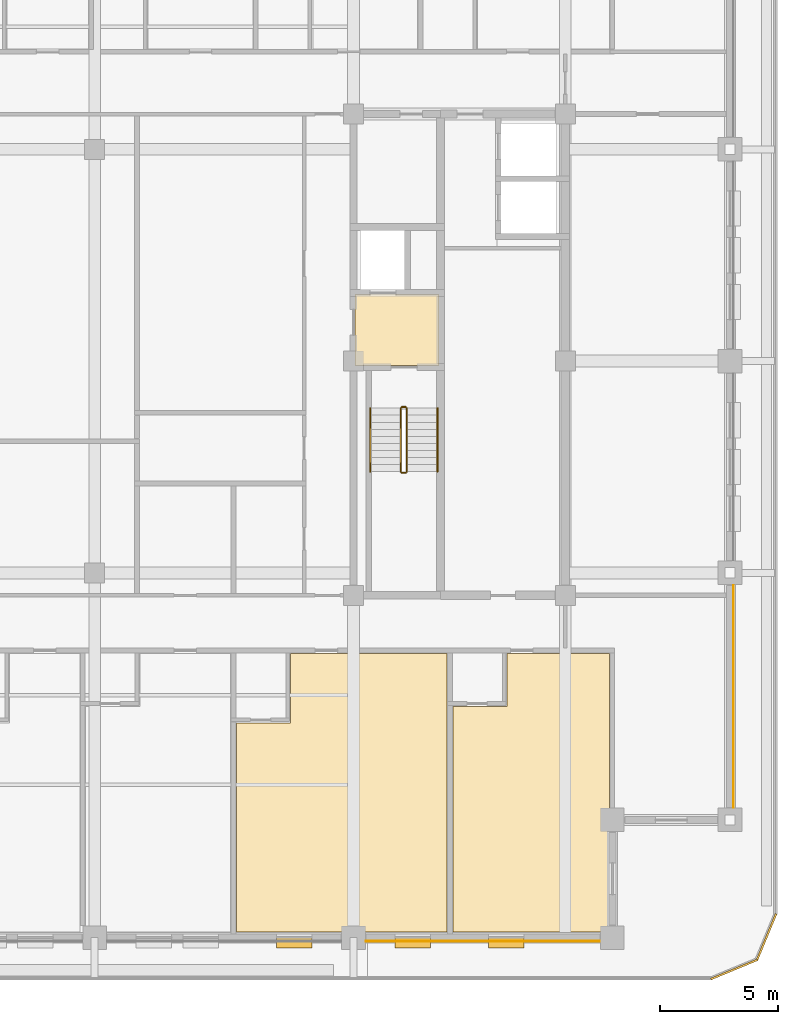
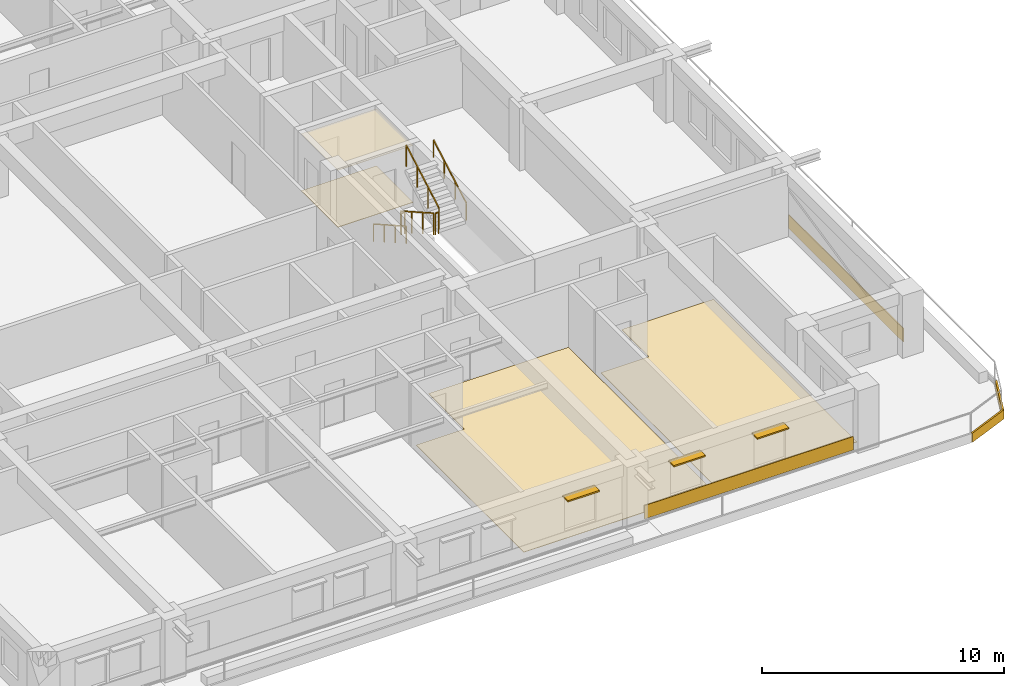
# One storey, part 12 of 13: 8 coverings, 6 railings, 3 shading devices.
"""IFC4 building model written with IfcOpenShell, lengths in metres."""

from ifc_helpers import new_model, si_unit, direction, frame, frame_2d, origin, origin_2d, place, context, subcontext, project, spatial, polyline, rectangle, outline, extrude, material, layer, layer_set, type_object, element, save


model = new_model("IFC4")

# Units and contexts
model_context = context("Model", 3, precision=1e-05, world=origin(), true_north=direction((0.0, 1.0)))
body_context = subcontext(model_context, "Body", "Model", "MODEL_VIEW")
ifc_project = project(units=[si_unit("LENGTHUNIT", "METRE"), si_unit("AREAUNIT", "SQUARE_METRE"), si_unit("VOLUMEUNIT", "CUBIC_METRE"), si_unit("PLANEANGLEUNIT", "RADIAN"), si_unit("MASSUNIT", "GRAM", prefix="KILO")], contexts=[model_context])

# Site, building, storey
site_placement = place(None, origin())
site = spatial("IfcSite", under=ifc_project, at=site_placement, CompositionType="ELEMENT")
building_placement = place(site_placement, origin())
building = spatial("IfcBuilding", under=site, at=building_placement, Name="Zulmaris Gate Convention Tower", CompositionType="ELEMENT")
storey_placement = place(building_placement, frame((0.0, 0.0, 166.059814453125)))
storey = spatial("IfcBuildingStorey", under=building, at=storey_placement, Name="L42", CompositionType="ELEMENT", Elevation=166.059814453125)

# Coverings
ifc_material_1 = material(Name="Precast concrete C40/50", Category="concrete")
ifc_layer_1 = layer(ifc_material_1, 0.0400390625, Name="Precast concrete C40/50")
ifc_layer_set_1 = layer_set([ifc_layer_1], Name="Precast concrete C40/50")
covering_type_1 = type_object("IfcCoveringType", Name="CLAD-SPANDREL-PRECAST", PredefinedType="CLADDING", material=ifc_layer_set_1)
covering_1_placement = place(storey_placement, frame((11.530029296875, -24.64990234375, 0.0), z_axis=(0.0, 0.0, 1.0), x_axis=(1.0, 0.0, 0.0)))
element("IfcCovering", 1, at=covering_1_placement, inside=storey, type_object=covering_type_1, Name="CLD-L42-S-3_0", PredefinedType="CLADDING", context=body_context, shape_type="SweptSolid", body=[
    extrude(rectangle(XDim=9.93994140625, YDim=0.0400390625, at=frame_2d((4.969970703125, 0.0))), origin(), (0.0, 0.0, 1.0), 0.679931640625),
])
covering_2_placement = place(storey_placement, frame((27.14990234375, -18.969970703125, 0.0), z_axis=(0.0, 0.0, 1.0), x_axis=(0.0, 1.0, 0.0)))
element("IfcCovering", 2, at=covering_2_placement, inside=storey, type_object=covering_type_1, Name="CLD-L42-E-0_0", PredefinedType="CLADDING", context=body_context, shape_type="SweptSolid", body=[
    extrude(rectangle(XDim=9.43994140625, YDim=0.0400390625, at=frame_2d((4.719970703125, 0.0))), origin(), (0.0, 0.0, 1.0), 0.679931640625),
])
ifc_material_2 = material(Name="White Glazed Architectural Precast Concrete C40/50", Category="concrete")
ifc_layer_2 = layer(ifc_material_2, 0.080078125, Name="White Glazed Architectural Precast Concrete C40/50")
ifc_layer_set_2 = layer_set([ifc_layer_2], Name="White Glazed Architectural Precast Concrete C40/50")
covering_type_2 = type_object("IfcCoveringType", Name="CLAD-TRAY-FASCIA", PredefinedType="CLADDING", material=ifc_layer_set_2)
covering_3_placement = place(storey_placement, frame((26.184814453125, -26.262939453125, -0.2900390625), z_axis=(0.0, 0.0, 1.0), x_axis=(0.923873803533, 0.382697263049, 0.0)))
element("IfcCovering", 3, at=covering_3_placement, inside=storey, type_object=covering_type_2, Name="FSC-L42-TR-03", PredefinedType="CLADDING", context=body_context, shape_type="SweptSolid", body=[
    extrude(rectangle(XDim=2.142822265625, YDim=0.080078125, at=frame_2d((1.0712890625, 0.0))), origin(), (0.0, 0.0, 1.0), 0.4599609375),
])
covering_4_placement = place(storey_placement, frame((28.142822265625, -25.464599609375, -0.2900390625), z_axis=(0.0, 0.0, 1.0), x_axis=(0.382656984709, 0.923890487046, 0.0)))
element("IfcCovering", 4, at=covering_4_placement, inside=storey, type_object=covering_type_2, Name="FSC-L42-TR-04", PredefinedType="CLADDING", context=body_context, shape_type="SweptSolid", body=[
    extrude(rectangle(XDim=2.14306640625, YDim=0.080078125, at=frame_2d((1.071533203125, 0.0))), origin(), (0.0, 0.0, 1.0), 0.4599609375),
])
ifc_material_3 = material(Name="Mineral Fibre Acoustic Ceiling Tile")
ifc_layer_3 = layer(ifc_material_3, 0.02001953125, Name="Mineral Fibre Acoustic Ceiling Tile")
ifc_layer_set_3 = layer_set([ifc_layer_3], Name="Mineral Fibre Acoustic Ceiling Tile")
covering_type_3 = type_object("IfcCoveringType", Name="CLG-ACOUSTIC-600", PredefinedType="CEILING", material=ifc_layer_set_3)
covering_5_placement = place(storey_placement, frame((0.0, 0.0, 2.8701171875)))
element("IfcCovering", 5, at=covering_5_placement, inside=storey, type_object=covering_type_3, Name="CLG-L42-R08", PredefinedType="CEILING", context=body_context, shape_type="SweptSolid", body=[
    extrude(outline(polyline([(11.06005859375, -0.18994140625), (14.639892578125, -0.18994140625), (14.639892578125, 2.840087890625), (11.06005859375, 2.840087890625), (11.06005859375, -0.18994140625)])), origin(), (0.0, 0.0, 1.0), 0.02001953125),
])
ifc_material_4 = material(Name="Woven Acoustic Wool Carpet Tile")
ifc_layer_4 = layer(ifc_material_4, 0.02001953125, Name="Woven Acoustic Wool Carpet Tile")
ifc_layer_set_4 = layer_set([ifc_layer_4], Name="Woven Acoustic Wool Carpet Tile")
covering_type_4 = type_object("IfcCoveringType", Name="FLR-CARPET-12", PredefinedType="FLOORING", material=ifc_layer_set_4)
covering_6_placement = place(storey_placement, origin())
element("IfcCovering", 6, at=covering_6_placement, inside=storey, type_object=covering_type_4, Name="FLR-L42-R08", PredefinedType="FLOORING", context=body_context, shape_type="SweptSolid", body=[
    extrude(outline(polyline([(11.06005859375, -0.18994140625), (14.639892578125, -0.18994140625), (14.639892578125, 2.840087890625), (11.06005859375, 2.840087890625), (11.06005859375, -0.18994140625)])), origin(), (0.0, 0.0, 1.0), 0.02001953125),
])
ifc_material_5 = material(Name="Engineered Teak Parquet Flooring")
ifc_layer_5 = layer(ifc_material_5, 0.02001953125, Name="Engineered Teak Parquet Flooring")
ifc_layer_set_5 = layer_set([ifc_layer_5], Name="Engineered Teak Parquet Flooring")
covering_type_5 = type_object("IfcCoveringType", Name="FLR-TIMBER-18", PredefinedType="FLOORING", material=ifc_layer_set_5)
covering_7_placement = place(storey_placement, origin())
element("IfcCovering", 7, at=covering_7_placement, inside=storey, type_object=covering_type_5, Name="FLR-L42-R46", PredefinedType="FLOORING", context=body_context, shape_type="SweptSolid", body=[
    extrude(outline(polyline([(6.02001953125, -24.260009765625), (14.97998046875, -24.260009765625), (14.97998046875, -12.419921875), (8.320068359375, -12.419921875), (8.320068359375, -15.3701171875), (6.02001953125, -15.3701171875), (6.02001953125, -24.260009765625)])), origin(), (0.0, 0.0, 1.0), 0.02001953125),
])
covering_8_placement = place(storey_placement, origin())
element("IfcCovering", 8, at=covering_8_placement, inside=storey, type_object=covering_type_5, Name="FLR-L42-R48", PredefinedType="FLOORING", context=body_context, shape_type="SweptSolid", body=[
    extrude(outline(polyline([(15.219970703125, -24.260009765625), (21.8798828125, -24.260009765625), (21.8798828125, -12.419921875), (17.52001953125, -12.419921875), (17.52001953125, -14.669921875), (15.219970703125, -14.669921875), (15.219970703125, -24.260009765625)])), origin(), (0.0, 0.0, 1.0), 0.02001953125),
])

# Railings
ifc_material_6 = material(Name="Painted Galvanised Steel", Category="steel")
railing_type_1 = type_object("IfcRailingType", Name="RL-STG-1150", PredefinedType="GUARDRAIL", material=ifc_material_6)
railing_1_placement = place(storey_placement, frame((13.010009765625, -2.0, 0.169921875)))
element("IfcRailing", 9, at=railing_1_placement, inside=storey, type_object=railing_type_1, Name="L42 ST-2 stair guard 1", PredefinedType="GUARDRAIL", context=body_context, shape_type="SweptSolid", body=[
    extrude(rectangle(XDim=0.048095703125, YDim=0.048095703125, at=origin_2d()), frame((0.0, 0.0, 1.076171875), z_axis=(0.0, -0.869980566543, 0.493086010588), x_axis=(1.0, 0.0, 0.0)), (0.0, 0.0, 1.0), 3.103515625),
    extrude(rectangle(XDim=0.0419921875, YDim=0.0419921875, at=origin_2d()), origin(), (0.0, 0.0, 1.0), 1.052001953125),
    extrude(rectangle(XDim=0.0419921875, YDim=0.0419921875, at=origin_2d()), frame((0.0, -0.89990234375, 0.510009765625)), (0.0, 0.0, 1.0), 1.052001953125),
    extrude(rectangle(XDim=0.0419921875, YDim=0.0419921875, at=origin_2d()), frame((0.0, -1.800048828125, 1.020263671875)), (0.0, 0.0, 1.0), 1.052001953125),
    extrude(rectangle(XDim=0.0419921875, YDim=0.0419921875, at=origin_2d()), frame((0.0, -2.699951171875, 1.5302734375)), (0.0, 0.0, 1.0), 1.052001953125),
])
railing_2_placement = place(storey_placement, frame((13.06005859375, -4.75, 1.7001953125)))
element("IfcRailing", 10, at=railing_2_placement, inside=storey, type_object=railing_type_1, Name="L42 ST-2 stair guard 2", PredefinedType="GUARDRAIL", context=body_context, shape_type="SweptSolid", body=[
    extrude(rectangle(XDim=0.048095703125, YDim=0.048095703125, at=origin_2d()), frame((0.0, 0.0, 1.076171875), z_axis=(1.0, 0.0, 0.0), x_axis=(0.0, 1.0, 0.0)), (0.0, 0.0, 1.0), 0.159912109375),
    extrude(rectangle(XDim=0.0419921875, YDim=0.0419921875, at=origin_2d()), origin(), (0.0, 0.0, 1.0), 1.052001953125),
    extrude(rectangle(XDim=0.0419921875, YDim=0.0419921875, at=origin_2d()), frame((0.159912109375, 0.0, 0.0)), (0.0, 0.0, 1.0), 1.052001953125),
])
railing_3_placement = place(storey_placement, frame((13.27001953125, -4.699951171875, 1.8701171875)))
element("IfcRailing", 11, at=railing_3_placement, inside=storey, type_object=railing_type_1, Name="L42 ST-2 stair guard 3", PredefinedType="GUARDRAIL", context=body_context, shape_type="SweptSolid", body=[
    extrude(rectangle(XDim=0.048095703125, YDim=0.048095703125, at=origin_2d()), frame((0.0, 0.0, 1.076171875), z_axis=(0.0, 0.870014312096, 0.49302646658), x_axis=(-1.0, 0.0, 0.0)), (0.0, 0.0, 1.0), 3.103271484375),
    extrude(rectangle(XDim=0.0419921875, YDim=0.0419921875, at=origin_2d()), origin(), (0.0, 0.0, 1.0), 1.052001953125),
    extrude(rectangle(XDim=0.0419921875, YDim=0.0419921875, at=origin_2d()), frame((0.0, 0.89990234375, 0.510009765625)), (0.0, 0.0, 1.0), 1.052001953125),
    extrude(rectangle(XDim=0.0419921875, YDim=0.0419921875, at=origin_2d()), frame((0.0, 1.800048828125, 1.02001953125)), (0.0, 0.0, 1.0), 1.052001953125),
    extrude(rectangle(XDim=0.0419921875, YDim=0.0419921875, at=origin_2d()), frame((0.0, 2.699951171875, 1.530029296875)), (0.0, 0.0, 1.0), 1.052001953125),
])
railing_4_placement = place(storey_placement, frame((13.06005859375, -1.949951171875, 0.0)))
element("IfcRailing", 12, at=railing_4_placement, inside=storey, type_object=railing_type_1, Name="L42 ST-2 stair guard 4", PredefinedType="GUARDRAIL", context=body_context, shape_type="SweptSolid", body=[
    extrude(rectangle(XDim=0.048095703125, YDim=0.048095703125, at=origin_2d()), frame((0.0, 0.0, 1.076171875), z_axis=(1.0, 0.0, 0.0), x_axis=(0.0, 1.0, 0.0)), (0.0, 0.0, 1.0), 0.159912109375),
    extrude(rectangle(XDim=0.0419921875, YDim=0.0419921875, at=origin_2d()), origin(), (0.0, 0.0, 1.0), 1.052001953125),
    extrude(rectangle(XDim=0.0419921875, YDim=0.0419921875, at=origin_2d()), frame((0.159912109375, 0.0, 0.0)), (0.0, 0.0, 1.0), 1.052001953125),
])
ifc_material_7 = material(Name="Brushed Stainless Steel", Category="steel")
railing_type_2 = type_object("IfcRailingType", Name="RL-STH-900", PredefinedType="HANDRAIL", material=ifc_material_7)
railing_5_placement = place(storey_placement, frame((11.7099609375, -2.0, 0.169921875)))
element("IfcRailing", 13, at=railing_5_placement, inside=storey, type_object=railing_type_2, Name="L42 ST-2 stair handrail 1", PredefinedType="HANDRAIL", context=body_context, shape_type="SweptSolid", body=[
    extrude(rectangle(XDim=0.048095703125, YDim=0.048095703125, at=origin_2d()), frame((0.0, 0.0, 0.8759765625), z_axis=(0.0, -0.869980566543, 0.493086010588), x_axis=(1.0, 0.0, 0.0)), (0.0, 0.0, 1.0), 3.103515625),
    extrude(rectangle(XDim=0.0419921875, YDim=0.0419921875, at=origin_2d()), origin(), (0.0, 0.0, 1.0), 0.851806640625),
    extrude(rectangle(XDim=0.0419921875, YDim=0.0419921875, at=origin_2d()), frame((0.0, -0.89990234375, 0.510009765625)), (0.0, 0.0, 1.0), 0.851806640625),
    extrude(rectangle(XDim=0.0419921875, YDim=0.0419921875, at=origin_2d()), frame((0.0, -1.800048828125, 1.020263671875)), (0.0, 0.0, 1.0), 0.851806640625),
    extrude(rectangle(XDim=0.0419921875, YDim=0.0419921875, at=origin_2d()), frame((0.0, -2.699951171875, 1.5302734375)), (0.0, 0.0, 1.0), 0.851806640625),
])
railing_6_placement = place(storey_placement, frame((14.570068359375, -4.699951171875, 1.8701171875)))
element("IfcRailing", 14, at=railing_6_placement, inside=storey, type_object=railing_type_2, Name="L42 ST-2 stair handrail 2", PredefinedType="HANDRAIL", context=body_context, shape_type="SweptSolid", body=[
    extrude(rectangle(XDim=0.048095703125, YDim=0.048095703125, at=origin_2d()), frame((0.0, 0.0, 0.8759765625), z_axis=(0.0, 0.870014312096, 0.49302646658), x_axis=(-1.0, 0.0, 0.0)), (0.0, 0.0, 1.0), 3.103271484375),
    extrude(rectangle(XDim=0.0419921875, YDim=0.0419921875, at=origin_2d()), origin(), (0.0, 0.0, 1.0), 0.851806640625),
    extrude(rectangle(XDim=0.0419921875, YDim=0.0419921875, at=origin_2d()), frame((0.0, 0.89990234375, 0.510009765625)), (0.0, 0.0, 1.0), 0.851806640625),
    extrude(rectangle(XDim=0.0419921875, YDim=0.0419921875, at=origin_2d()), frame((0.0, 1.800048828125, 1.02001953125)), (0.0, 0.0, 1.0), 0.851806640625),
    extrude(rectangle(XDim=0.0419921875, YDim=0.0419921875, at=origin_2d()), frame((0.0, 2.699951171875, 1.530029296875)), (0.0, 0.0, 1.0), 0.851806640625),
])

# Shading devices
ifc_material_8 = material(Name="Glazed Ceramic Terracotta", Category="masonry")
ifc_layer_6 = layer(ifc_material_8, 0.070068359375, Name="Glazed Ceramic Terracotta")
ifc_layer_set_6 = layer_set([ifc_layer_6], Name="Glazed Ceramic Terracotta")
shading_device_type = type_object("IfcShadingDeviceType", Name="SHD-SUNSHADE-TC", PredefinedType="AWNING", material=ifc_layer_set_6)
for number, where, z_axis, x_axis, name in (
    (15, (7.73193359375, -24.719970703125, 2.35009765625), (0.0, 0.0, 1.0), (1.0, 0.0, 0.0), "SHD-EW-L42-S-2_0-4"),
    (16, (12.76806640625, -24.719970703125, 2.35009765625), (0.0, 0.0, 1.0), (1.0, 0.0, 0.0), "SHD-EW-L42-S-3_0-1"),
    (17, (16.743896484375, -24.719970703125, 2.35009765625), (0.0, 0.0, 1.0), (1.0, 0.0, 0.0), "SHD-EW-L42-S-3_0-3"),
):
    element("IfcShadingDevice", number, at=place(storey_placement, frame(where, z_axis=z_axis, x_axis=x_axis)), inside=storey, type_object=shading_device_type, Name=name, PredefinedType="AWNING", context=body_context, shape_type="SweptSolid", body=[
        extrude(rectangle(XDim=1.5, YDim=0.43994140625, at=frame_2d((0.75, 0.0))), origin(), (0.0, 0.0, 1.0), 0.06982421875),
    ])

save(model, "model.ifc")
